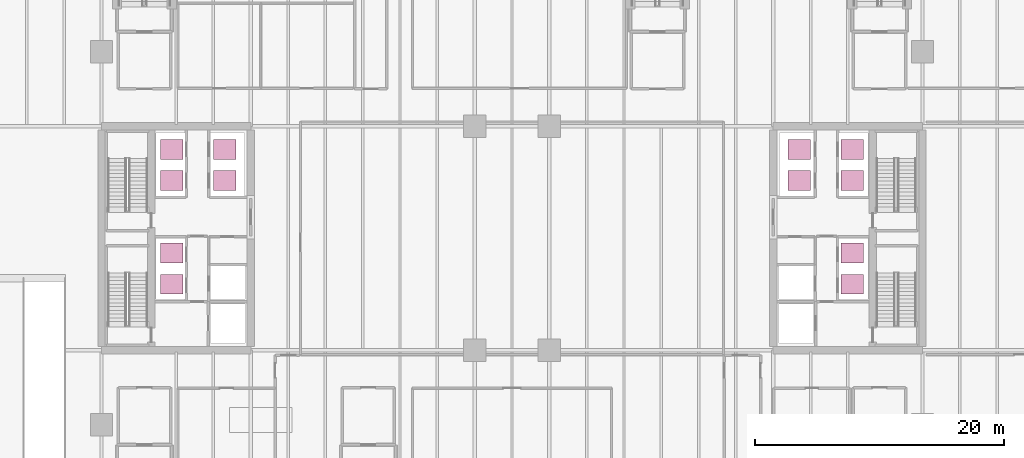
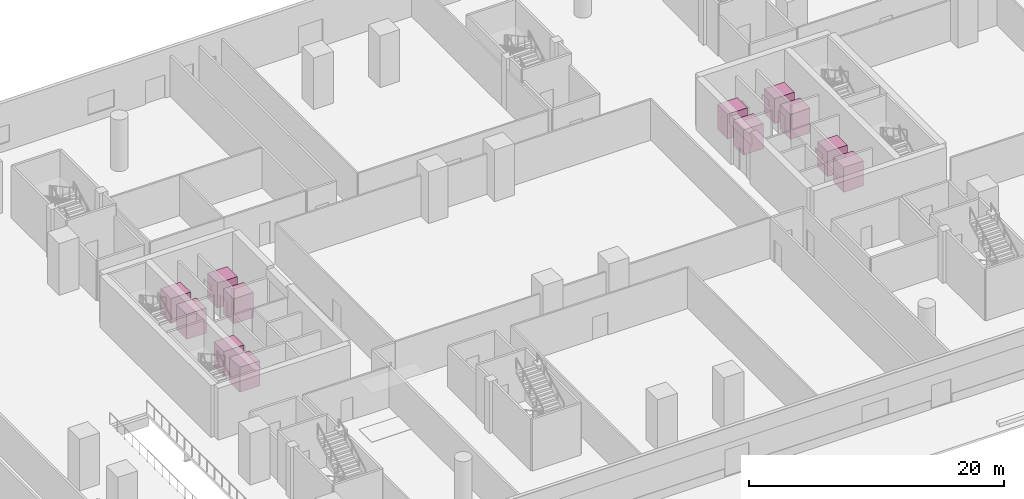
# One storey, part 25 of 25: 12 transport elements.
"""IFC4 building model written with IfcOpenShell, lengths in metres."""

from ifc_helpers import new_model, si_unit, direction, frame, origin, origin_2d, place, context, subcontext, project, spatial, rectangle, extrude, material, type_object, element, save


model = new_model("IFC4")

# Units and contexts
model_context = context("Model", 3, precision=1e-05, world=origin(), true_north=direction((0.0, 1.0)))
body_context = subcontext(model_context, "Body", "Model", "MODEL_VIEW")
ifc_project = project(units=[si_unit("LENGTHUNIT", "METRE"), si_unit("AREAUNIT", "SQUARE_METRE"), si_unit("VOLUMEUNIT", "CUBIC_METRE"), si_unit("PLANEANGLEUNIT", "RADIAN"), si_unit("MASSUNIT", "GRAM", prefix="KILO")], contexts=[model_context])

# Site, building, storey
site_placement = place(None, origin())
site = spatial("IfcSite", under=ifc_project, at=site_placement, CompositionType="ELEMENT")
building_placement = place(site_placement, origin())
building = spatial("IfcBuilding", under=site, at=building_placement, Name="Tanjung Sevakor Pilgrim Tower", CompositionType="ELEMENT")
storey_placement = place(building_placement, origin())
storey = spatial("IfcBuildingStorey", under=building, at=storey_placement, Name="L01", CompositionType="ELEMENT", Elevation=0.0)

# Transport elements
ifc_material = material(Name="Stainless Steel S355J2", Category="steel")
transport_element_type = type_object("IfcTransportElementType", Name="LIFT-PASS-1600", PredefinedType="ELEVATOR", material=ifc_material)
for number, where, z_axis, x_axis, name in (
    (1, (29.64990234375, 29.89990234375, 0.0), (0.0, 0.0, 1.0), (1.0, 0.0, 0.0), "Elevator PL-L1"),
    (2, (29.64990234375, 32.39990234375, 0.0), (0.0, 0.0, 1.0), (1.0, 0.0, 0.0), "Elevator PL-L2"),
    (3, (84.35009765625, 29.89990234375, 0.0), (0.0, 0.0, 1.0), (1.0, 0.0, 0.0), "Elevator PL-L3"),
    (4, (84.35009765625, 32.39990234375, 0.0), (0.0, 0.0, 1.0), (1.0, 0.0, 0.0), "Elevator PL-L4"),
    (5, (29.64990234375, 38.25, 0.0), (0.0, 0.0, 1.0), (1.0, 0.0, 0.0), "Elevator PL-M1"),
    (6, (29.64990234375, 40.75, 0.0), (0.0, 0.0, 1.0), (1.0, 0.0, 0.0), "Elevator PL-M2"),
    (7, (84.35009765625, 38.25, 0.0), (0.0, 0.0, 1.0), (1.0, 0.0, 0.0), "Elevator PL-M3"),
    (8, (84.35009765625, 40.75, 0.0), (0.0, 0.0, 1.0), (1.0, 0.0, 0.0), "Elevator PL-M4"),
    (9, (33.89990234375, 38.25, 0.0), (0.0, 0.0, 1.0), (1.0, 0.0, 0.0), "Elevator PL-H1"),
    (10, (33.89990234375, 40.75, 0.0), (0.0, 0.0, 1.0), (1.0, 0.0, 0.0), "Elevator PL-H2"),
    (11, (80.10009765625, 38.25, 0.0), (0.0, 0.0, 1.0), (1.0, 0.0, 0.0), "Elevator PL-H3"),
    (12, (80.10009765625, 40.75, 0.0), (0.0, 0.0, 1.0), (1.0, 0.0, 0.0), "Elevator PL-H4"),
):
    element("IfcTransportElement", number, at=place(storey_placement, frame(where, z_axis=z_axis, x_axis=x_axis)), inside=storey, type_object=transport_element_type, Name=name, PredefinedType="ELEVATOR", context=body_context, shape_type="SweptSolid", body=[
        extrude(rectangle(XDim=1.800048828125, YDim=1.60009765625, at=origin_2d()), origin(), (0.0, 0.0, 1.0), 2.39990234375),
    ])

save(model, "model.ifc")
